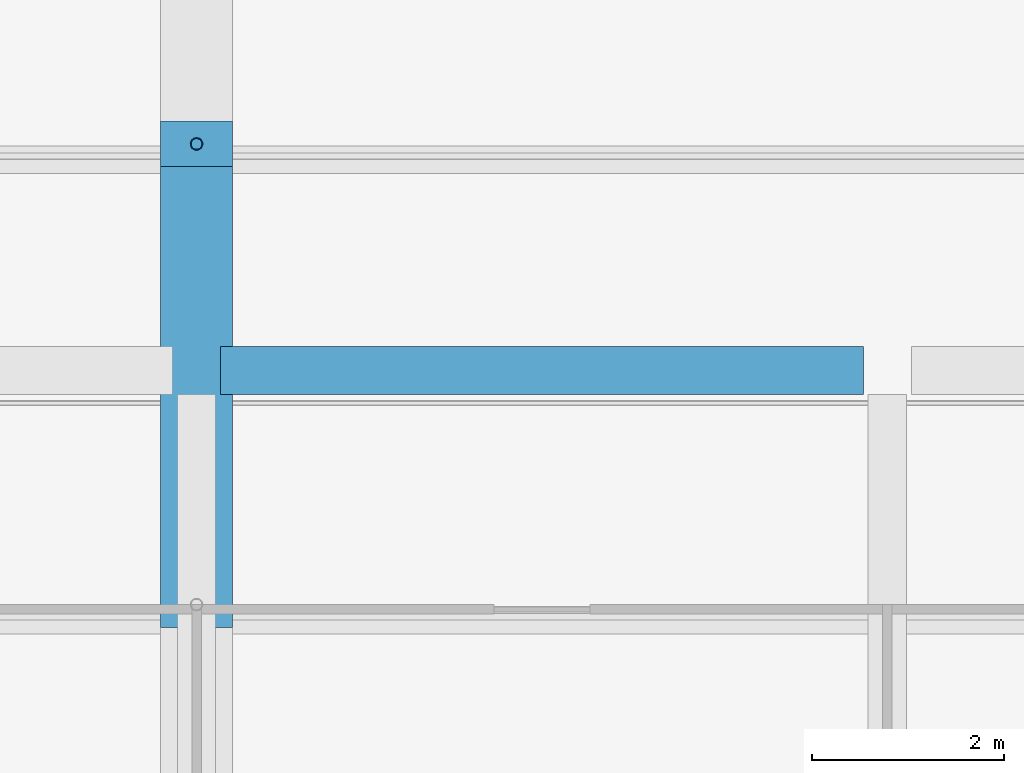
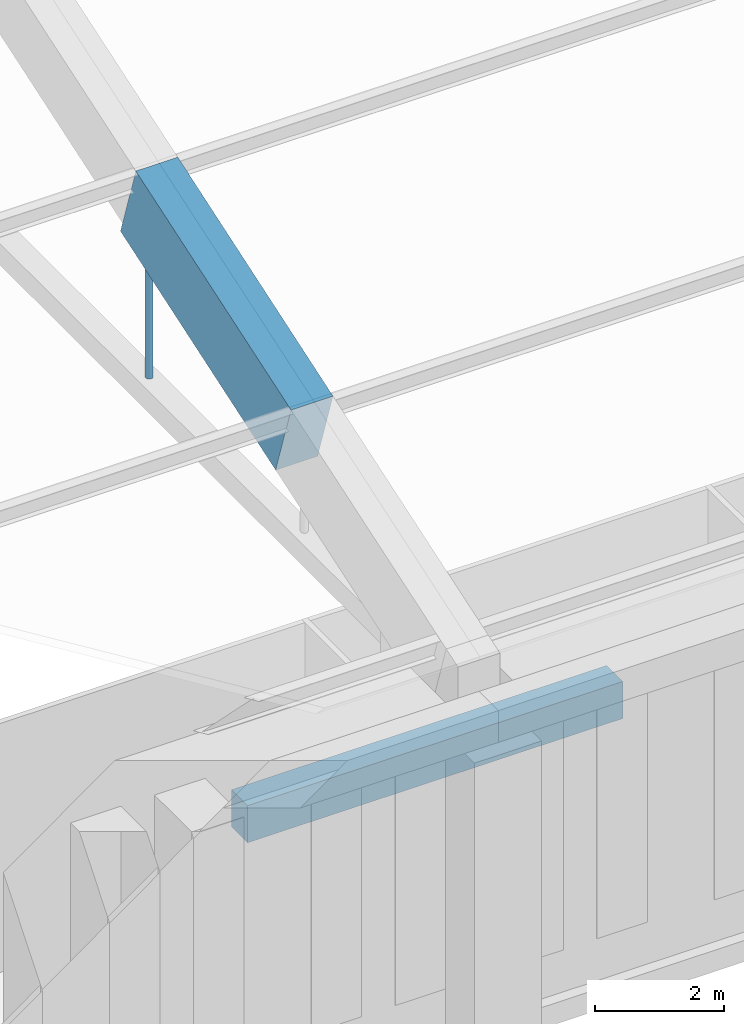
# One storey, part 10 of 149: 2 beams, 1 member.
"""IFC4 building model written with IfcOpenShell, lengths in metres."""

from ifc_helpers import new_model, si_unit, direction, frame, origin, origin_2d, place, context, subcontext, project, spatial, rectangle, hollow_circle, extrude, material, material_profile, profile_set, type_object, element, save


model = new_model("IFC4")

# Units and contexts
model_context = context("Model", 3, precision=1e-05, world=origin(), true_north=direction((0.0, 1.0)))
body_context = subcontext(model_context, "Body", "Model", "MODEL_VIEW")
ifc_project = project(units=[si_unit("LENGTHUNIT", "METRE"), si_unit("AREAUNIT", "SQUARE_METRE"), si_unit("VOLUMEUNIT", "CUBIC_METRE"), si_unit("PLANEANGLEUNIT", "RADIAN"), si_unit("MASSUNIT", "GRAM", prefix="KILO")], contexts=[model_context])

# Site, building, storey
site_placement = place(None, origin())
site = spatial("IfcSite", under=ifc_project, at=site_placement, CompositionType="ELEMENT")
building_placement = place(site_placement, origin())
building = spatial("IfcBuilding", under=site, at=building_placement, Name="Alderwick Market Hall", CompositionType="ELEMENT")
storey_placement = place(building_placement, frame((0.0, 0.0, 9.60009765625)))
storey = spatial("IfcBuildingStorey", under=building, at=storey_placement, Name="L01", CompositionType="ELEMENT", Elevation=9.60009765625)

# Beams
ifc_material_1 = material(Name="Concrete 5000 psi (f'c 35 MPa)", Category="concrete")
ifc_material_profile_1 = material_profile(ifc_material_1, rectangle(XDim=0.5, YDim=0.699951171875, at=origin_2d()), Name="RC 500x700")
ifc_profile_set_1 = profile_set([ifc_material_profile_1], Name="Concrete 5000 psi (f'c 35 MPa)")
beam_type_1 = type_object("IfcBeamType", Name="H Edge beam 500x700", PredefinedType="BEAM", material=ifc_profile_set_1)
beam_1_placement = place(storey_placement, frame((79.449951171875, 57.639892578125, -0.60009765625), z_axis=(1.0, 0.0, 0.0), x_axis=(0.0, 1.0, 0.0)))
element("IfcBeam", 1, at=beam_1_placement, inside=storey, type_object=beam_type_1, Name="Gallery edge beam S", PredefinedType="BEAM", context=body_context, shape_type="SweptSolid", body=[
    extrude(rectangle(XDim=0.5, YDim=0.699951171875, at=origin_2d()), origin(), (0.0, 0.0, 1.0), 6.699951171875),
])
ifc_material_profile_2 = material_profile(ifc_material_1, rectangle(XDim=0.75, YDim=1.5, at=origin_2d()), Name="RC 750x1500")
ifc_profile_set_2 = profile_set([ifc_material_profile_2], Name="Concrete 5000 psi (f'c 35 MPa)")
beam_type_2 = type_object("IfcBeamType", Name="R Arch Rib Springing 750x1500", PredefinedType="BEAM", material=ifc_profile_set_2)
beam_2_placement = place(storey_placement, frame((79.199951171875, 55.199951171875, 8.199951171875), z_axis=(0.0, 0.948692948114, 0.316198814353), x_axis=(-1.0, 0.0, 0.0)))
element("IfcBeam", 2, at=beam_2_placement, inside=storey, type_object=beam_type_2, Name="Arch rib 3 chord 2", PredefinedType="BEAM", context=body_context, shape_type="SweptSolid", body=[
    extrude(rectangle(XDim=0.75, YDim=1.5, at=origin_2d()), origin(), (0.0, 0.0, 1.0), 5.0595703125),
])

# Member
ifc_material_2 = material(Name="Steel ASTM A500 Grade C", Category="steel")
ifc_material_profile_3 = material_profile(ifc_material_2, hollow_circle(Radius=0.0634765625, WallThickness=0.005859375, at=origin_2d()), Name="HSS5.000x0.250")
ifc_profile_set_3 = profile_set([ifc_material_profile_3], Name="Steel ASTM A500 Grade C")
member_type = type_object("IfcMemberType", Name="R Hanger HSS5.000x0.250", PredefinedType="POST", material=ifc_profile_set_3)
member_placement = place(storey_placement, frame((79.199951171875, 60.0, 6.35302734375), z_axis=(0.0, 0.0, 1.0), x_axis=(1.0, 0.0, 0.0)))
element("IfcMember", 3, at=member_placement, inside=storey, type_object=member_type, Name="Arch hanger 3.2", PredefinedType="POST", context=body_context, shape_type="SweptSolid", body=[
    extrude(hollow_circle(Radius=0.0634765625, WallThickness=0.005859375, at=origin_2d()), origin(), (0.0, 0.0, 1.0), 2.63525390625),
])

save(model, "model.ifc")
